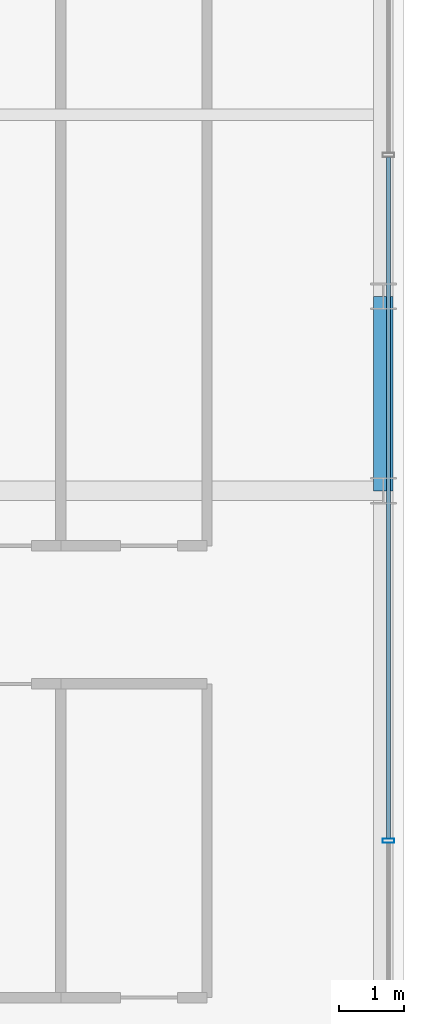
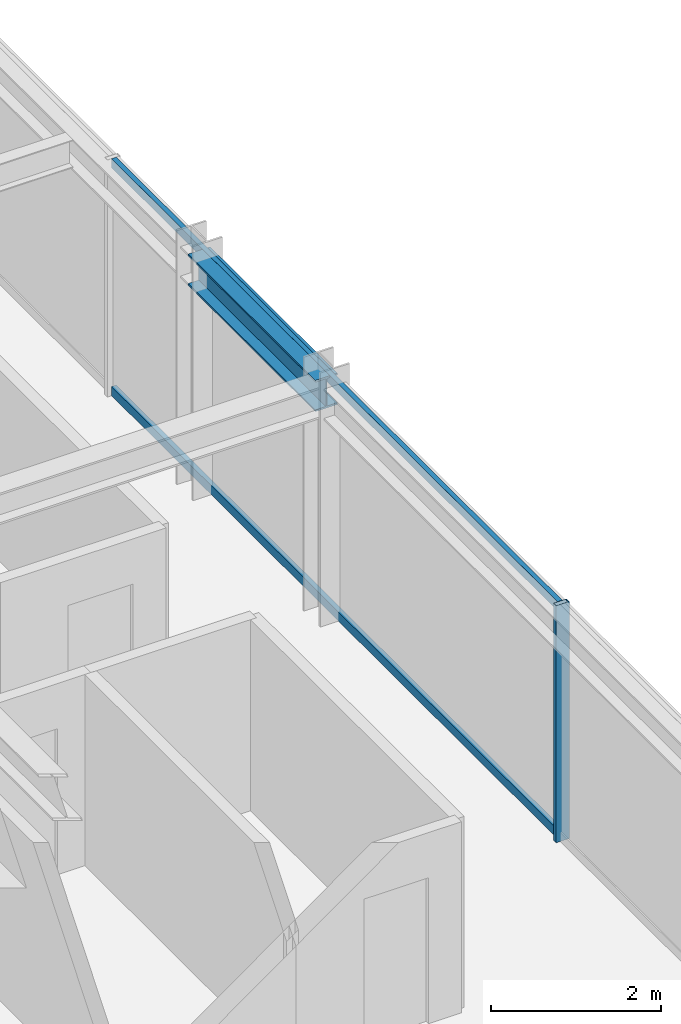
# One storey, part 17 of 41: 3 members, 1 beam, 1 element without a shape of its own.
"""IFC4 building model written with IfcOpenShell, lengths in metres."""

from ifc_helpers import new_model, si_unit, direction, frame, origin, origin_2d, place, context, subcontext, project, spatial, hollow_rectangle, i_section, extrude, source, transform, mapped, material, material_profile, profile_set, type_object, element, aggregate, save


model = new_model("IFC4")

# Units and contexts
model_context = context("Model", 3, precision=1e-05, world=origin(), true_north=direction((0.0, 1.0)))
body_context = subcontext(model_context, "Body", "Model", "MODEL_VIEW")
ifc_project = project(units=[si_unit("LENGTHUNIT", "METRE"), si_unit("AREAUNIT", "SQUARE_METRE"), si_unit("VOLUMEUNIT", "CUBIC_METRE"), si_unit("PLANEANGLEUNIT", "RADIAN"), si_unit("MASSUNIT", "GRAM", prefix="KILO")], contexts=[model_context])

# Site, building, storey
site_placement = place(None, origin())
site = spatial("IfcSite", under=ifc_project, at=site_placement, CompositionType="ELEMENT")
building_placement = place(site_placement, origin())
building = spatial("IfcBuilding", under=site, at=building_placement, Name="Nahalor Promenade Grand Hotel", CompositionType="ELEMENT")
storey_placement = place(building_placement, frame((0.0, 0.0, 227.10009765625)))
storey = spatial("IfcBuildingStorey", under=building, at=storey_placement, Name="L58", CompositionType="ELEMENT", Elevation=227.10009765625)

# Beam
ifc_material_1 = material(Name="Steel S355JR", Category="steel")
ifc_material_profile_1 = material_profile(ifc_material_1, i_section(OverallWidth=0.3, OverallDepth=0.45, WebThickness=0.014, FlangeThickness=0.026, at=origin_2d()), Name="HEB 450")
ifc_profile_set_1 = profile_set([ifc_material_profile_1], Name="Steel S355JR")
beam_type = type_object("IfcBeamType", Name="Beam-Spandrel-HEB450", PredefinedType="SPANDREL", material=ifc_profile_set_1)
shared_shape_1 = source(origin(), body_context, "Body", "SweptSolid", [
    extrude(i_section(OverallWidth=0.3, OverallDepth=0.45, WebThickness=0.014, FlangeThickness=0.026, at=origin_2d()), origin(), (0.0, 0.0, 1.0), 3.0),
])
beam_placement = place(storey_placement, frame((23.8798828125, 5.39990234375, 3.184814453125), z_axis=(0.0, 1.0, 0.0), x_axis=(-1.0, 0.0, 0.0)))
element("IfcBeam", 1, at=beam_placement, inside=storey, type_object=beam_type, Name="BM-L58-SP-E-3", PredefinedType="SPANDREL", context=body_context, shape_type="MappedRepresentation", body=[
    mapped(shared_shape_1, transform((0.0, 0.0, 0.0), scale=1.0)),
])

# Curtain wall, members
ifc_material_2 = material(Name="Anodised Bronze Aluminium EN AW-6063 T6", Category="aluminium")
curtain_wall_type = type_object("IfcCurtainWallType", Name="CW2 Typical Hotel Flush Bronze Unitised Curtain Wall", PredefinedType="USERDEFINED", material=ifc_material_2)
curtain_wall_placement = place(storey_placement, origin())
curtain_wall = element("IfcCurtainWall", 2, at=curtain_wall_placement, inside=storey, type_object=curtain_wall_type, Name="L58 Curtain Wall CW-L58-E-1", ObjectType="UNITISED_CURTAIN_WALL", PredefinedType="USERDEFINED")
ifc_material_profile_2 = material_profile(ifc_material_2, hollow_rectangle(XDim=0.065, YDim=0.13, WallThickness=0.004, at=origin_2d()), Name="CWT 65x130x4")
ifc_profile_set_2 = profile_set([ifc_material_profile_2], Name="Anodised Bronze Aluminium EN AW-6063 T6")
member_type_1 = type_object("IfcMemberType", Name="CWT2 Typical Bronze Transom 65x130", PredefinedType="USERDEFINED", material=ifc_profile_set_2)
shared_shape_2 = source(origin(), body_context, "Body", "SweptSolid", [
    extrude(hollow_rectangle(XDim=0.065, YDim=0.13, WallThickness=0.004, at=origin_2d()), origin(), (0.0, 0.0, 1.0), 10.51513671875),
])
member_1_placement = place(storey_placement, frame((23.9599609375, 0.032470703125, 0.06494140625), z_axis=(0.0, 1.0, 0.0), x_axis=(-1.0, 0.0, 0.0)))
member_1 = element("IfcMember", 3, at=member_1_placement, type_object=member_type_1, Name="CW-L58-E-1 Transom 2-0", ObjectType="TRANSOM", PredefinedType="USERDEFINED", context=body_context, shape_type="MappedRepresentation", body=[
    mapped(shared_shape_2, transform((0.0, 0.0, 0.0), scale=1.0)),
])
member_2_placement = place(storey_placement, frame((23.9599609375, 0.032470703125, 3.344970703125), z_axis=(0.0, 1.0, 0.0), x_axis=(-1.0, 0.0, 0.0)))
member_2 = element("IfcMember", 4, at=member_2_placement, type_object=member_type_1, Name="CW-L58-E-1 Transom 2-1", ObjectType="TRANSOM", PredefinedType="USERDEFINED", context=body_context, shape_type="MappedRepresentation", body=[
    mapped(shared_shape_2, transform((0.0, 0.0, 0.0), scale=1.0)),
])
ifc_material_profile_3 = material_profile(ifc_material_2, hollow_rectangle(XDim=0.065, YDim=0.18, WallThickness=0.004, at=origin_2d()), Name="CWM 65x180x4")
ifc_profile_set_3 = profile_set([ifc_material_profile_3], Name="Anodised Bronze Aluminium EN AW-6063 T6")
member_type_2 = type_object("IfcMemberType", Name="CWM2 Typical Bronze Mullion 65x180", PredefinedType="MULLION", material=ifc_profile_set_3)
shared_shape_3 = source(origin(), body_context, "Body", "SweptSolid", [
    extrude(hollow_rectangle(XDim=0.065, YDim=0.18, WallThickness=0.004, at=origin_2d()), origin(), (0.0, 0.0, 1.0), 3.409912109375),
])
member_3_placement = place(storey_placement, frame((23.9599609375, 0.0, 0.0), z_axis=(0.0, 0.0, 1.0), x_axis=(0.0, 1.0, 0.0)))
member_3 = element("IfcMember", 5, at=member_3_placement, type_object=member_type_2, Name="CW-L58-E-1 Mullion 2", PredefinedType="MULLION", context=body_context, shape_type="MappedRepresentation", body=[
    mapped(shared_shape_3, transform((0.0, 0.0, 0.0), scale=1.0)),
])
aggregate(curtain_wall, [member_3, member_1, member_2])

save(model, "model.ifc")
